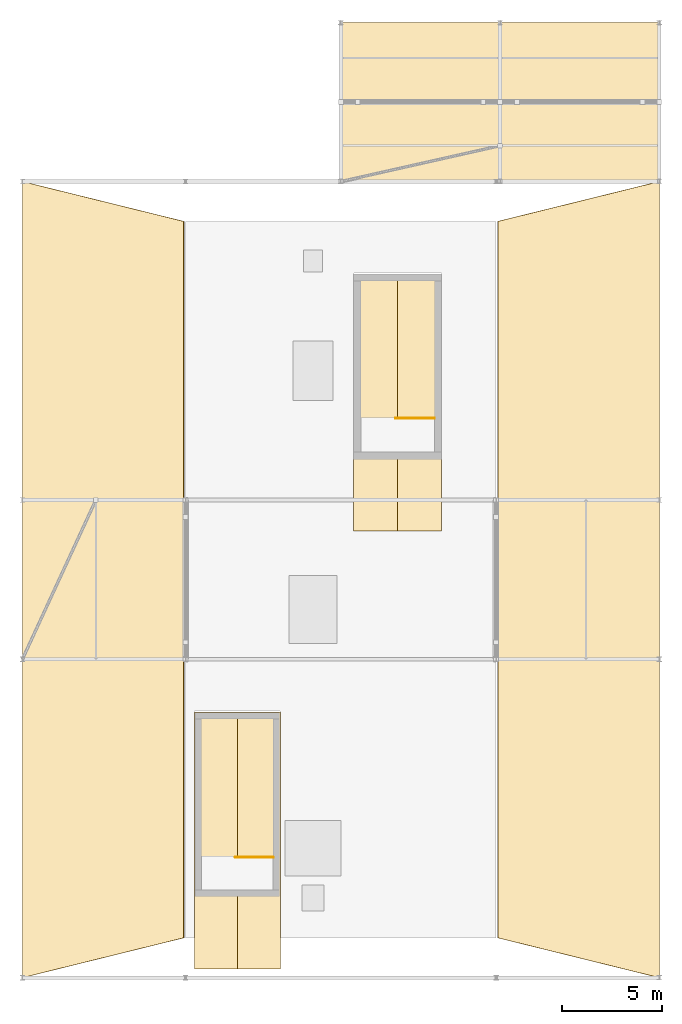
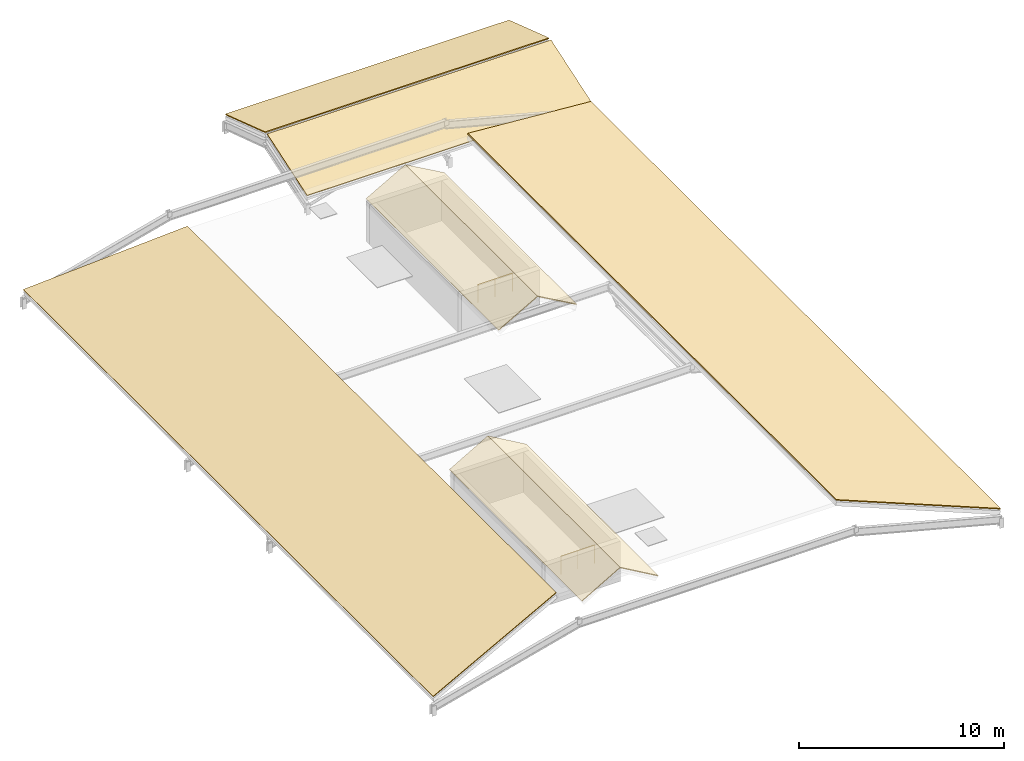
# One storey, part 8 of 8: 8 coverings, 2 railings.
"""IFC4 building model written with IfcOpenShell, lengths in metres."""

from ifc_helpers import new_model, si_unit, direction, frame, origin, origin_2d, place, context, subcontext, project, spatial, polyline, circle, outline, extrude, material, layer, layer_set, type_object, element, save


model = new_model("IFC4")

# Units and contexts
model_context = context("Model", 3, precision=1e-05, world=origin(), true_north=direction((0.0, 1.0)))
body_context = subcontext(model_context, "Body", "Model", "MODEL_VIEW")
ifc_project = project(units=[si_unit("LENGTHUNIT", "METRE"), si_unit("AREAUNIT", "SQUARE_METRE"), si_unit("VOLUMEUNIT", "CUBIC_METRE"), si_unit("PLANEANGLEUNIT", "RADIAN"), si_unit("MASSUNIT", "GRAM", prefix="KILO")], contexts=[model_context])

# Site, building, storey
site_placement = place(None, origin())
site = spatial("IfcSite", under=ifc_project, at=site_placement, CompositionType="ELEMENT")
building_placement = place(site_placement, origin())
building = spatial("IfcBuilding", under=site, at=building_placement, Name="Kenh Van Central Station", CompositionType="ELEMENT")
storey_placement = place(building_placement, frame((0.0, 0.0, 27.60009765625)))
storey = spatial("IfcBuildingStorey", under=building, at=storey_placement, Name="RF", CompositionType="ELEMENT", Elevation=27.60009765625)

# Coverings
ifc_material_1 = material(Name="Standing-seam zinc-aluminium roofing", Category="aluminium")
ifc_layer_1 = layer(ifc_material_1, 0.044921875, Name="Standing-seam zinc-aluminium roofing")
ifc_layer_set_1 = layer_set([ifc_layer_1], Name="Standing-seam zinc-aluminium roofing")
covering_type_1 = type_object("IfcCoveringType", Name="COV-ROOF-SEAM", PredefinedType="ROOFING", material=ifc_layer_set_1)
covering_1_placement = place(storey_placement, frame((144.0, 24.0, 0.139892578125), z_axis=(-0.256534675287, 0.0, 0.966535028013), x_axis=(0.940134113964, 0.232129081367, 0.249527428042)))
element("IfcCovering", 1, at=covering_1_placement, inside=storey, type_object=covering_type_1, Name="RF pitched roof covering 19", PredefinedType="ROOFING", context=body_context, shape_type="SweptSolid", body=[
    extrude(outline(polyline([(0.0, 0.0), (8.615895898190068, 2.7755575615628914e-16), (16.972542827399707, 35.01665963652916), (9.285163254677379, 38.90739959614351), (0.0, 0.0)])), origin(), (0.0, 0.0, -1.0), 0.044921875),
])
covering_2_placement = place(storey_placement, frame((160.0, 64.0, 0.139892578125), z_axis=(0.0, -0.316245582614, 0.948677358999), x_axis=(1.0, 0.0, 0.0)))
element("IfcCovering", 2, at=covering_2_placement, inside=storey, type_object=covering_type_1, Name="RF pitched roof covering 21", PredefinedType="ROOFING", context=body_context, shape_type="SweptSolid", body=[
    extrude(outline(polyline([(0.0, 0.0), (16.0, 0.0), (16.0, 4.110883754899416), (0.0, 4.110883754899416), (0.0, 0.0)])), origin(), (0.0, 0.0, -1.0), 0.044921875),
])
covering_3_placement = place(storey_placement, frame((152.639892578125, 24.43994140625, 2.539794921875), z_axis=(-0.500851167559, 0.0, 0.865533423938), x_axis=(0.865533423938, 0.0, 0.500851167559)))
element("IfcCovering", 3, at=covering_3_placement, inside=storey, type_object=covering_type_1, Name="RF C09 bulkhead sloped roofing W", PredefinedType="ROOFING", context=body_context, shape_type="SweptSolid", body=[
    extrude(outline(polyline([(0.0, 0.0), (2.4957513947535044, 0.0), (2.4957513947535044, 12.920166015625), (0.0, 12.920166015625), (0.0, 0.0)])), origin(), (0.0, 0.0, -1.0), 0.044921875),
])
covering_4_placement = place(storey_placement, frame((154.800048828125, 24.43994140625, 3.789794921875), z_axis=(0.500893576935, 0.0, 0.865508881864), x_axis=(0.865508881864, 0.0, -0.500893576935)))
element("IfcCovering", 4, at=covering_4_placement, inside=storey, type_object=covering_type_1, Name="RF C09 bulkhead sloped roofing E", PredefinedType="ROOFING", context=body_context, shape_type="SweptSolid", body=[
    extrude(outline(polyline([(0.0, 0.0), (2.495540085878158, 0.0), (2.495540085878158, 12.920166015625), (0.0, 12.920166015625), (0.0, 0.0)])), origin(), (0.0, 0.0, -1.0), 0.044921875),
])
covering_5_placement = place(storey_placement, frame((160.639892578125, 46.43994140625, 2.539794921875), z_axis=(-0.492282184504, 0.0, 0.870435667249), x_axis=(0.870435667249, 0.0, 0.492282184504)))
element("IfcCovering", 5, at=covering_5_placement, inside=storey, type_object=covering_type_1, Name="RF C10 bulkhead sloped roofing W", PredefinedType="ROOFING", context=body_context, shape_type="SweptSolid", body=[
    extrude(outline(polyline([(0.0, 0.0), (2.5391940625658247, 0.0), (2.5391940625658247, 12.920166015625), (0.0, 12.920166015625), (0.0, 0.0)])), origin(), (0.0, 0.0, -1.0), 0.044921875),
])
covering_6_placement = place(storey_placement, frame((162.85009765625, 46.43994140625, 3.789794921875), z_axis=(0.492323387187, 0.0, 0.87041236344), x_axis=(0.87041236344, 0.0, -0.492323387187)))
element("IfcCovering", 6, at=covering_6_placement, inside=storey, type_object=covering_type_1, Name="RF C10 bulkhead sloped roofing E", PredefinedType="ROOFING", context=body_context, shape_type="SweptSolid", body=[
    extrude(outline(polyline([(0.0, 0.0), (2.5389815567025846, 0.0), (2.5389815567025846, 12.920166015625004), (0.0, 12.920166015625004), (0.0, 0.0)])), origin(), (0.0, 0.0, -1.0), 0.044921875),
])
ifc_material_2 = material(Name="Glazed terracotta roof tile", Category="masonry")
ifc_layer_2 = layer(ifc_material_2, 0.054931640625, Name="Glazed terracotta roof tile")
ifc_layer_set_2 = layer_set([ifc_layer_2], Name="Glazed terracotta roof tile")
covering_type_2 = type_object("IfcCoveringType", Name="COV-ROOF-TERRA", PredefinedType="ROOFING", material=ifc_layer_set_2)
covering_7_placement = place(storey_placement, frame((167.89990234375, 26.0, 2.289794921875), z_axis=(0.256534675287, 0.0, 0.966535028013), x_axis=(0.940134113964, -0.232129081367, -0.249527428042)))
element("IfcCovering", 7, at=covering_7_placement, inside=storey, type_object=covering_type_2, Name="RF pitched roof covering 20", PredefinedType="ROOFING", context=body_context, shape_type="SweptSolid", body=[
    extrude(outline(polyline([(0.0, 0.0), (8.615895898190068, -2.7755575615628914e-16), (-0.669267356487308, 38.90739959614351), (-8.35664692920964, 35.01665963652916), (0.0, 0.0)])), origin(), (0.0, 0.0, -1.0), 0.054931640625),
])
covering_8_placement = place(storey_placement, frame((160.0, 68.10009765625, 1.43994140625), z_axis=(0.0, 0.316245582614, 0.948677358999), x_axis=(1.0, 0.0, 0.0)))
element("IfcCovering", 8, at=covering_8_placement, inside=storey, type_object=covering_type_2, Name="RF pitched roof covering 22", PredefinedType="ROOFING", context=body_context, shape_type="SweptSolid", body=[
    extrude(outline(polyline([(0.0, 0.0), (16.0, 0.0), (16.0, 4.110883754899416), (0.0, 4.110883754899416), (0.0, 0.0)])), origin(), (0.0, 0.0, -1.0), 0.054931640625),
])

# Railings
ifc_material_3 = material(Name="Champagne anodised aluminium", Category="aluminium")
railing_type = type_object("IfcRailingType", Name="RAIL-CORE-GRD110", PredefinedType="GUARDRAIL", material=ifc_material_3)
railing_1_placement = place(storey_placement, frame((156.60009765625, 30.050048828125, 0.0)))
element("IfcRailing", 9, at=railing_1_placement, inside=storey, type_object=railing_type, Name="RF ST-09 top well guard 1", PredefinedType="GUARDRAIL", context=body_context, shape_type="SweptSolid", body=[
    extrude(circle(Radius=0.02392578125, at=origin_2d()), frame((0.0, 0.0, 1.076171875), z_axis=(-1.0, 0.0, 0.0), x_axis=(0.0, -1.0, 0.0)), (0.0, 0.0, 1.0), 1.900146484375),
    extrude(circle(Radius=0.02099609375, at=origin_2d()), origin(), (0.0, 0.0, 1.0), 1.052001953125),
    extrude(circle(Radius=0.02099609375, at=origin_2d()), frame((-0.9501953125, 0.0, 0.0)), (0.0, 0.0, 1.0), 1.052001953125),
    extrude(circle(Radius=0.02099609375, at=origin_2d()), frame((-1.900146484375, 0.0, 0.0)), (0.0, 0.0, 1.0), 1.052001953125),
])
railing_2_placement = place(storey_placement, frame((164.699951171875, 52.10009765625, 0.0)))
element("IfcRailing", 10, at=railing_2_placement, inside=storey, type_object=railing_type, Name="RF ST-10 top well guard 1", PredefinedType="GUARDRAIL", context=body_context, shape_type="SweptSolid", body=[
    extrude(circle(Radius=0.02392578125, at=origin_2d()), frame((0.0, 0.0, 1.076171875), z_axis=(-1.0, 0.0, 0.0), x_axis=(0.0, -1.0, 0.0)), (0.0, 0.0, 1.0), 1.949951171875),
    extrude(circle(Radius=0.02099609375, at=origin_2d()), origin(), (0.0, 0.0, 1.0), 1.052001953125),
    extrude(circle(Radius=0.02099609375, at=origin_2d()), frame((-0.97509765625, 0.0, 0.0)), (0.0, 0.0, 1.0), 1.052001953125),
    extrude(circle(Radius=0.02099609375, at=origin_2d()), frame((-1.949951171875, 0.0, 0.0)), (0.0, 0.0, 1.0), 1.052001953125),
])

save(model, "model.ifc")
